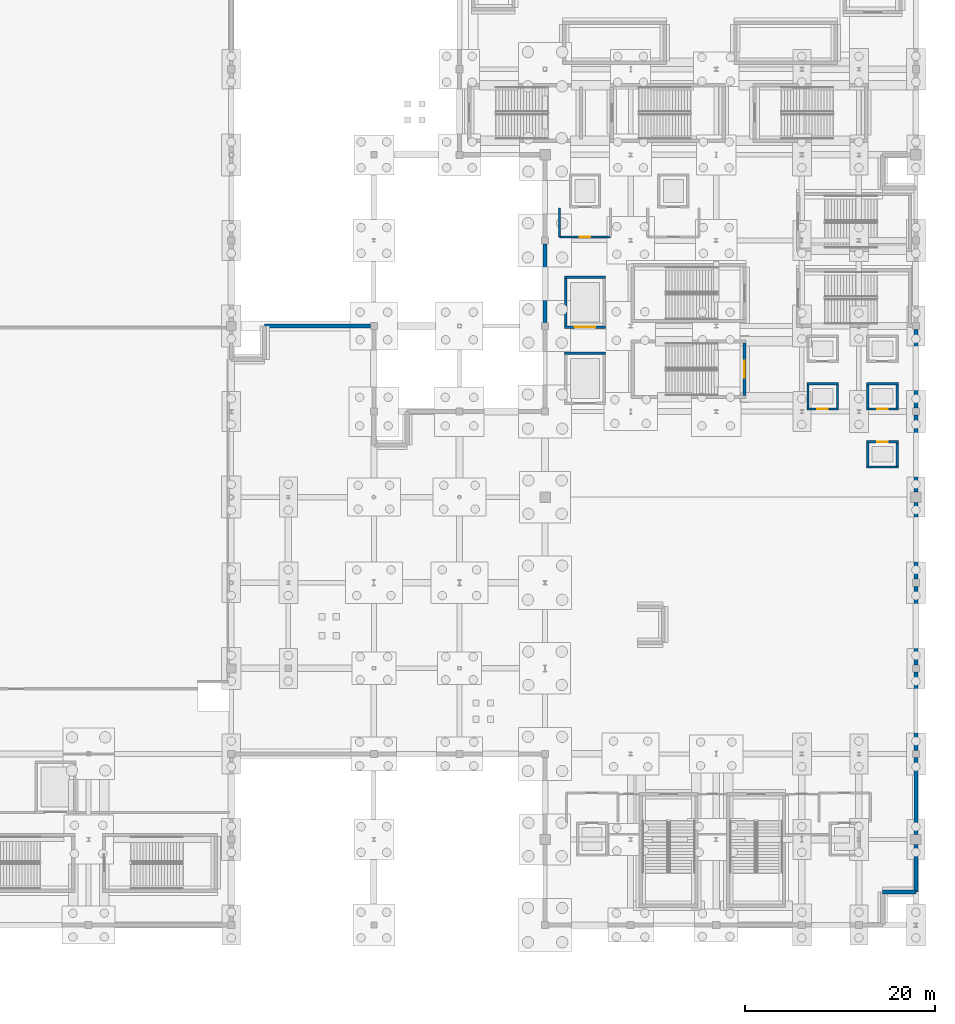
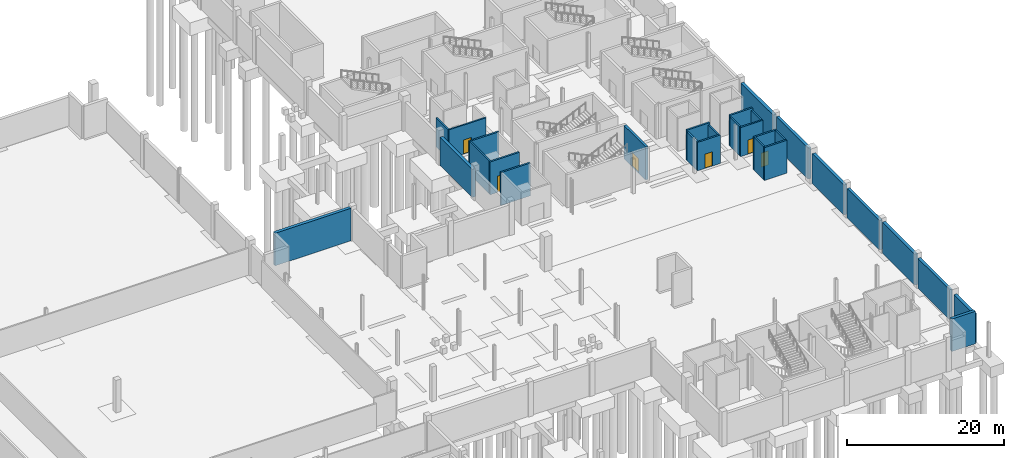
# One storey, part 43 of 58: 29 walls, 6 doors, 6 openings.
"""IFC4 building model written with IfcOpenShell, lengths in metres."""

from ifc_helpers import new_model, si_unit, direction, frame, frame_2d, origin, place, context, subcontext, project, spatial, rectangle, extrude, material, layer, layer_set, type_object, element, fill, save


model = new_model("IFC4")

# Units and contexts
model_context = context("Model", 3, precision=1e-05, world=origin(), true_north=direction((0.0, 1.0)))
body_context = subcontext(model_context, "Body", "Model", "MODEL_VIEW")
ifc_project = project(units=[si_unit("LENGTHUNIT", "METRE"), si_unit("AREAUNIT", "SQUARE_METRE"), si_unit("VOLUMEUNIT", "CUBIC_METRE"), si_unit("PLANEANGLEUNIT", "RADIAN"), si_unit("MASSUNIT", "GRAM", prefix="KILO")], contexts=[model_context])

# Site, building, storey
site_placement = place(None, origin())
site = spatial("IfcSite", under=ifc_project, at=site_placement, CompositionType="ELEMENT")
building_placement = place(site_placement, origin())
building = spatial("IfcBuilding", under=site, at=building_placement, Name="Qamarlyn Nura Convention Centre", CompositionType="ELEMENT")
storey_placement = place(building_placement, frame((0.0, 0.0, -5.39990234375)))
storey = spatial("IfcBuildingStorey", under=building, at=storey_placement, Name="B01", CompositionType="ELEMENT", Elevation=-5.39990234375)

# Wall, opening, door
ifc_material_1 = material(Name="Fire-rated acoustic gypsum board and mineral wool EI 120")
ifc_layer_1 = layer(ifc_material_1, 0.219970703125, Name="WT-COMP-220")
ifc_layer_set_1 = layer_set([ifc_layer_1], Name="Fire-rated acoustic gypsum board and mineral wool EI 120")
wall_type_1 = type_object("IfcWallType", Name="WT-COMP-220", PredefinedType="SOLIDWALL", material=ifc_layer_set_1)
wall_1_placement = place(storey_placement, frame((154.5, 72.35009765625, 0.0), z_axis=(0.0, 0.0, 1.0), x_axis=(1.0, 0.0, 0.0)))
wall_1 = element("IfcWall", 1, at=wall_1_placement, inside=storey, type_object=wall_type_1, Name="B01 firefighting lobby barrier wall FFL-03-OPP", PredefinedType="SOLIDWALL", context=body_context, shape_type="SweptSolid", body=[
    extrude(rectangle(XDim=5.39990234375, YDim=0.219970703125, at=frame_2d((2.699951171875, 0.0))), origin(), (0.0, 0.0, 1.0), 4.513916015625),
])
opening_1_placement = place(wall_1_placement, frame((2.139892578125, 0.0, 0.0)))
opening_1 = element("IfcOpeningElement", 2, at=opening_1_placement, cuts=wall_1, Name="Opening DF-117", PredefinedType="OPENING", context=body_context, shape_type="SweptSolid", body=[
    extrude(rectangle(XDim=1.1201171875, YDim=2.199951171875, at=frame_2d((0.56005859375, 1.10009765625))), frame((0.0, 0.1201171875, 0.0), z_axis=(0.0, -1.0, 0.0), x_axis=(1.0, 0.0, 0.0)), (0.0, 0.0, 1.0), 0.239990234375),
])
ifc_material_2 = material(Name="Galvanised fire-rated hollow steel door", Category="steel")
door_type_1 = type_object("IfcDoorType", Name="DR-FFL-1120", OperationType="NOTDEFINED", PredefinedType="DOOR", material=ifc_material_2)
door_1_placement = place(opening_1_placement, origin())
door_1 = element("IfcDoor", 3, at=door_1_placement, inside=storey, type_object=door_type_1, Name="B01 firefighting lobby door FFL-03 (DF-117)", OperationType="SINGLE_SWING_LEFT", OverallHeight=2.199951171875, OverallWidth=1.1201171875, PredefinedType="DOOR", context=body_context, shape_type="SweptSolid", body=[
    extrude(rectangle(XDim=1.1201171875, YDim=2.199951171875, at=frame_2d((0.56005859375, 1.10009765625))), frame((0.0, 0.02490234375, 0.0), z_axis=(0.0, -1.0, 0.0), x_axis=(1.0, 0.0, 0.0)), (0.0, 0.0, 1.0), 0.050048828125),
])
fill(opening_1, door_1)

# Wall
wall_2_placement = place(storey_placement, frame((154.5, 72.35009765625, 0.0), z_axis=(0.0, 0.0, 1.0), x_axis=(0.0, 1.0, 0.0)))
element("IfcWall", 4, at=wall_2_placement, inside=storey, type_object=wall_type_1, Name="B01 firefighting lobby barrier wall FFL-03-W", PredefinedType="SOLIDWALL", context=body_context, shape_type="SweptSolid", body=[
    extrude(rectangle(XDim=3.0498046875, YDim=0.219970703125, at=frame_2d((1.52490234375, 0.0))), origin(), (0.0, 0.0, 1.0), 4.513916015625),
])

# Wall, opening, door
ifc_material_3 = material(Name="Concrete C50/60", Category="concrete")
ifc_layer_2 = layer(ifc_material_3, 0.35009765625, Name="WT-CORE-350")
ifc_layer_set_2 = layer_set([ifc_layer_2], Name="Concrete C50/60")
wall_type_2 = type_object("IfcWallType", Name="WT-CORE-350", PredefinedType="SHEAR", material=ifc_layer_set_2)
wall_3_placement = place(storey_placement, frame((173.97509765625, 55.699951171875, 0.0), z_axis=(0.0, 0.0, 1.0), x_axis=(0.0, 1.0, 0.0)))
wall_3 = element("IfcWall", 5, at=wall_3_placement, inside=storey, type_object=wall_type_2, Name="B01 stair core shear wall ST-11-E", PredefinedType="SHEAR", context=body_context, shape_type="SweptSolid", body=[
    extrude(rectangle(XDim=5.5, YDim=0.35009765625, at=frame_2d((2.75, 0.0))), origin(), (0.0, 0.0, 1.0), 5.139892578125),
])
opening_2_placement = place(wall_3_placement, frame((1.85009765625, 0.0, 0.0)))
opening_2 = element("IfcOpeningElement", 6, at=opening_2_placement, cuts=wall_3, Name="Opening DS-043", PredefinedType="OPENING", context=body_context, shape_type="SweptSolid", body=[
    extrude(rectangle(XDim=1.800048828125, YDim=2.199951171875, at=frame_2d((0.89990234375, 1.10009765625))), frame((0.0, 0.18505859375, 0.0), z_axis=(0.0, -1.0, 0.0), x_axis=(1.0, 0.0, 0.0)), (0.0, 0.0, 1.0), 0.3701171875),
])
door_type_2 = type_object("IfcDoorType", Name="DR-STAIR-1800", OperationType="DOUBLE_DOOR_SINGLE_SWING", PredefinedType="DOOR", material=ifc_material_2)
door_2_placement = place(opening_2_placement, origin())
door_2 = element("IfcDoor", 7, at=door_2_placement, inside=storey, type_object=door_type_2, Name="B01 exit stair door ST-11 (DS-043)", OperationType="DOUBLE_DOOR_SINGLE_SWING", OverallHeight=2.199951171875, OverallWidth=1.800048828125, PredefinedType="DOOR", context=body_context, shape_type="SweptSolid", body=[
    extrude(rectangle(XDim=1.800048828125, YDim=2.199951171875, at=frame_2d((0.89990234375, 1.10009765625))), frame((0.0, 0.02490234375, 0.0), z_axis=(0.0, -1.0, 0.0), x_axis=(1.0, 0.0, 0.0)), (0.0, 0.0, 1.0), 0.050048828125),
])
fill(opening_2, door_2)

# Walls
ifc_material_4 = material(Name="Concrete C40/50", Category="concrete")
ifc_layer_3 = layer(ifc_material_4, 0.419921875, Name="WT-RET-420")
ifc_layer_set_3 = layer_set([ifc_layer_3], Name="Concrete C40/50")
wall_type_3 = type_object("IfcWallType", Name="WT-RET-420", PredefinedType="USERDEFINED", material=ifc_layer_set_3)
wall_4_placement = place(storey_placement, frame((192.0, 53.625, 0.0), z_axis=(0.0, 0.0, 1.0), x_axis=(0.0, -1.0, 0.0)))
element("IfcWall", 8, at=wall_4_placement, inside=storey, type_object=wall_type_3, Name="B01 perimeter retaining wall 72", ObjectType="RETAININGWALL", PredefinedType="USERDEFINED", context=body_context, shape_type="SweptSolid", body=[
    extrude(rectangle(XDim=8.074951171875, YDim=0.419921875, at=frame_2d((4.03759765625, 0.0))), origin(), (0.0, 0.0, 1.0), 4.804931640625),
])
wall_5_placement = place(storey_placement, frame((192.0, 35.625, 0.0), z_axis=(0.0, 0.0, 1.0), x_axis=(0.0, -1.0, 0.0)))
element("IfcWall", 9, at=wall_5_placement, inside=storey, type_object=wall_type_3, Name="B01 perimeter retaining wall 74", ObjectType="RETAININGWALL", PredefinedType="USERDEFINED", context=body_context, shape_type="SweptSolid", body=[
    extrude(rectangle(XDim=8.25, YDim=0.419921875, at=frame_2d((4.125, 0.0))), origin(), (0.0, 0.0, 1.0), 4.56591796875),
])
wall_6_placement = place(storey_placement, frame((192.0, 17.625, 0.0), z_axis=(0.0, 0.0, 1.0), x_axis=(0.0, -1.0, 0.0)))
element("IfcWall", 10, at=wall_6_placement, inside=storey, type_object=wall_type_3, Name="B01 perimeter retaining wall 76", ObjectType="RETAININGWALL", PredefinedType="USERDEFINED", context=body_context, shape_type="SweptSolid", body=[
    extrude(rectangle(XDim=8.074951171875, YDim=0.419921875, at=frame_2d((4.03759765625, 0.0))), origin(), (0.0, 0.0, 1.0), 4.638916015625),
])
wall_7_placement = place(storey_placement, frame((192.0, 3.5, 0.0), z_axis=(0.0, 0.0, 1.0), x_axis=(-1.0, 0.0, 0.0)))
element("IfcWall", 11, at=wall_7_placement, inside=storey, type_object=wall_type_3, Name="B01 perimeter retaining wall 78", ObjectType="RETAININGWALL", PredefinedType="USERDEFINED", context=body_context, shape_type="SweptSolid", body=[
    extrude(rectangle(XDim=3.5, YDim=0.419921875, at=frame_2d((1.75, 0.0))), origin(), (0.0, 0.0, 1.0), 5.0498046875),
])
ifc_layer_4 = layer(ifc_material_4, 0.449951171875, Name="WT-RET-450")
ifc_layer_set_4 = layer_set([ifc_layer_4], Name="Concrete C40/50")
wall_type_4 = type_object("IfcWallType", Name="WT-RET-450", PredefinedType="USERDEFINED", material=ifc_layer_set_4)
wall_8_placement = place(storey_placement, frame((123.5, 63.0, 0.0), z_axis=(0.0, 0.0, 1.0), x_axis=(1.0, 0.0, 0.0)))
element("IfcWall", 12, at=wall_8_placement, inside=storey, type_object=wall_type_4, Name="B01 perimeter retaining wall 37", ObjectType="RETAININGWALL", PredefinedType="USERDEFINED", context=body_context, shape_type="SweptSolid", body=[
    extrude(rectangle(XDim=11.125, YDim=0.449951171875, at=frame_2d((5.5625, 0.0))), origin(), (0.0, 0.0, 1.0), 5.0498046875),
])
wall_9_placement = place(storey_placement, frame((153.0, 63.375, 0.0), z_axis=(0.0, 0.0, 1.0), x_axis=(0.0, 1.0, 0.0)))
element("IfcWall", 13, at=wall_9_placement, inside=storey, type_object=wall_type_4, Name="B01 perimeter retaining wall 45", ObjectType="RETAININGWALL", PredefinedType="USERDEFINED", context=body_context, shape_type="SweptSolid", body=[
    extrude(rectangle(XDim=8.25, YDim=0.449951171875, at=frame_2d((4.125, 0.0))), origin(), (0.0, 0.0, 1.0), 4.351806640625),
])
wall_10_placement = place(storey_placement, frame((192.0, 62.625, 0.0), z_axis=(0.0, 0.0, 1.0), x_axis=(0.0, -1.0, 0.0)))
element("IfcWall", 14, at=wall_10_placement, inside=storey, type_object=wall_type_4, Name="B01 perimeter retaining wall 71", ObjectType="RETAININGWALL", PredefinedType="USERDEFINED", context=body_context, shape_type="SweptSolid", body=[
    extrude(rectangle(XDim=8.25, YDim=0.449951171875, at=frame_2d((4.125, 0.0))), origin(), (0.0, 0.0, 1.0), 4.5859375),
])
wall_11_placement = place(storey_placement, frame((192.0, 44.449951171875, 0.0), z_axis=(0.0, 0.0, 1.0), x_axis=(0.0, -1.0, 0.0)))
element("IfcWall", 15, at=wall_11_placement, inside=storey, type_object=wall_type_4, Name="B01 perimeter retaining wall 73", ObjectType="RETAININGWALL", PredefinedType="USERDEFINED", context=body_context, shape_type="SweptSolid", body=[
    extrude(rectangle(XDim=8.074951171875, YDim=0.449951171875, at=frame_2d((4.03759765625, 0.0))), origin(), (0.0, 0.0, 1.0), 4.638916015625),
])
wall_12_placement = place(storey_placement, frame((192.0, 26.625, 0.0), z_axis=(0.0, 0.0, 1.0), x_axis=(0.0, -1.0, 0.0)))
element("IfcWall", 16, at=wall_12_placement, inside=storey, type_object=wall_type_4, Name="B01 perimeter retaining wall 75", ObjectType="RETAININGWALL", PredefinedType="USERDEFINED", context=body_context, shape_type="SweptSolid", body=[
    extrude(rectangle(XDim=8.25, YDim=0.449951171875, at=frame_2d((4.125, 0.0))), origin(), (0.0, 0.0, 1.0), 4.804931640625),
])
wall_13_placement = place(storey_placement, frame((192.0, 8.449951171875, 0.0), z_axis=(0.0, 0.0, 1.0), x_axis=(0.0, -1.0, 0.0)))
element("IfcWall", 17, at=wall_13_placement, inside=storey, type_object=wall_type_4, Name="B01 perimeter retaining wall 77", ObjectType="RETAININGWALL", PredefinedType="USERDEFINED", context=body_context, shape_type="SweptSolid", body=[
    extrude(rectangle(XDim=4.949951171875, YDim=0.449951171875, at=frame_2d((2.47509765625, 0.0))), origin(), (0.0, 0.0, 1.0), 4.56591796875),
])

# Wall, opening, door
ifc_layer_5 = layer(ifc_material_1, 0.25, Name="WT-SHAFT-250")
ifc_layer_set_5 = layer_set([ifc_layer_5], Name="Fire-rated acoustic gypsum board and mineral wool EI 120")
wall_type_5 = type_object("IfcWallType", Name="WT-SHAFT-250", PredefinedType="SOLIDWALL", material=ifc_layer_set_5)
wall_14_placement = place(storey_placement, frame((180.52490234375, 54.27490234375, 0.0), z_axis=(0.0, 0.0, 1.0), x_axis=(1.0, 0.0, 0.0)))
wall_14 = element("IfcWall", 18, at=wall_14_placement, inside=storey, type_object=wall_type_5, Name="B01 lift shaft enclosure wall PL-03 -y", PredefinedType="SOLIDWALL", context=body_context, shape_type="SweptSolid", body=[
    extrude(rectangle(XDim=3.35009765625, YDim=0.25, at=frame_2d((1.675048828125, 0.0))), origin(), (0.0, 0.0, 1.0), 4.4208984375),
])
opening_3_placement = place(wall_14_placement, frame((1.125, 0.0, 0.0)))
opening_3 = element("IfcOpeningElement", 19, at=opening_3_placement, cuts=wall_14, Name="Opening LD-PL-03-B01", PredefinedType="OPENING", context=body_context, shape_type="SweptSolid", body=[
    extrude(rectangle(XDim=1.10009765625, YDim=2.199951171875, at=frame_2d((0.550048828125, 1.10009765625))), frame((0.0, 0.135009765625, 0.0), z_axis=(0.0, -1.0, 0.0), x_axis=(1.0, 0.0, 0.0)), (0.0, 0.0, 1.0), 0.27001953125),
])
ifc_material_5 = material(Name="Marine Grade 316 stainless steel", Category="steel")
door_type_3 = type_object("IfcDoorType", Name="DR-LD-PAX", OperationType="DOUBLE_DOOR_SLIDING", PredefinedType="DOOR", material=ifc_material_5)
door_3_placement = place(opening_3_placement, origin())
door_3 = element("IfcDoor", 20, at=door_3_placement, inside=storey, type_object=door_type_3, Name="Lift landing door LD-PL-03-B01", OperationType="DOUBLE_DOOR_SLIDING", OverallHeight=2.199951171875, OverallWidth=1.10009765625, PredefinedType="DOOR", context=body_context, shape_type="SweptSolid", body=[
    extrude(rectangle(XDim=1.10009765625, YDim=2.199951171875, at=frame_2d((0.550048828125, 1.10009765625))), frame((0.0, 0.02490234375, 0.0), z_axis=(0.0, -1.0, 0.0), x_axis=(1.0, 0.0, 0.0)), (0.0, 0.0, 1.0), 0.050048828125),
])
fill(opening_3, door_3)

# Walls
wall_15_placement = place(storey_placement, frame((183.875, 56.925048828125, 0.0), z_axis=(0.0, 0.0, 1.0), x_axis=(-1.0, 0.0, 0.0)))
element("IfcWall", 21, at=wall_15_placement, inside=storey, type_object=wall_type_5, Name="B01 lift shaft enclosure wall PL-03 +y", PredefinedType="SOLIDWALL", context=body_context, shape_type="SweptSolid", body=[
    extrude(rectangle(XDim=3.35009765625, YDim=0.25, at=frame_2d((1.675048828125, 0.0))), origin(), (0.0, 0.0, 1.0), 4.718017578125),
])
for number, where, z_axis, x_axis, name in (
    (22, (180.64990234375, 56.800048828125, 0.0), (0.0, 0.0, 1.0), (0.0, -1.0, 0.0), "B01 lift shaft enclosure wall PL-03 -x"),
    (23, (183.75, 54.39990234375, 0.0), (0.0, 0.0, 1.0), (0.0, 1.0, 0.0), "B01 lift shaft enclosure wall PL-03 +x"),
):
    element("IfcWall", number, at=place(storey_placement, frame(where, z_axis=z_axis, x_axis=x_axis)), inside=storey, type_object=wall_type_5, Name=name, PredefinedType="SOLIDWALL", context=body_context, shape_type="SweptSolid", body=[
        extrude(rectangle(XDim=2.400146484375, YDim=0.25, at=frame_2d((1.2001953125, 0.0))), origin(), (0.0, 0.0, 1.0), 4.4208984375),
    ])

# Wall, opening, door
wall_16_placement = place(storey_placement, frame((186.824951171875, 54.27490234375, 0.0), z_axis=(0.0, 0.0, 1.0), x_axis=(1.0, 0.0, 0.0)))
wall_16 = element("IfcWall", 24, at=wall_16_placement, inside=storey, type_object=wall_type_5, Name="B01 lift shaft enclosure wall PL-04 -y", PredefinedType="SOLIDWALL", context=body_context, shape_type="SweptSolid", body=[
    extrude(rectangle(XDim=3.35009765625, YDim=0.25, at=frame_2d((1.675048828125, 0.0))), origin(), (0.0, 0.0, 1.0), 4.493896484375),
])
opening_4_placement = place(wall_16_placement, frame((1.125, 0.0, 0.0)))
opening_4 = element("IfcOpeningElement", 25, at=opening_4_placement, cuts=wall_16, Name="Opening LD-PL-04-B01", PredefinedType="OPENING", context=body_context, shape_type="SweptSolid", body=[
    extrude(rectangle(XDim=1.10009765625, YDim=2.199951171875, at=frame_2d((0.550048828125, 1.10009765625))), frame((0.0, 0.135009765625, 0.0), z_axis=(0.0, -1.0, 0.0), x_axis=(1.0, 0.0, 0.0)), (0.0, 0.0, 1.0), 0.27001953125),
])
door_4_placement = place(opening_4_placement, origin())
door_4 = element("IfcDoor", 26, at=door_4_placement, inside=storey, type_object=door_type_3, Name="Lift landing door LD-PL-04-B01", OperationType="DOUBLE_DOOR_SLIDING", OverallHeight=2.199951171875, OverallWidth=1.10009765625, PredefinedType="DOOR", context=body_context, shape_type="SweptSolid", body=[
    extrude(rectangle(XDim=1.10009765625, YDim=2.199951171875, at=frame_2d((0.550048828125, 1.10009765625))), frame((0.0, 0.02490234375, 0.0), z_axis=(0.0, -1.0, 0.0), x_axis=(1.0, 0.0, 0.0)), (0.0, 0.0, 1.0), 0.050048828125),
])
fill(opening_4, door_4)

# Walls
wall_17_placement = place(storey_placement, frame((190.175048828125, 56.925048828125, 0.0), z_axis=(0.0, 0.0, 1.0), x_axis=(-1.0, 0.0, 0.0)))
element("IfcWall", 27, at=wall_17_placement, inside=storey, type_object=wall_type_5, Name="B01 lift shaft enclosure wall PL-04 +y", PredefinedType="SOLIDWALL", context=body_context, shape_type="SweptSolid", body=[
    extrude(rectangle(XDim=3.35009765625, YDim=0.25, at=frame_2d((1.675048828125, 0.0))), origin(), (0.0, 0.0, 1.0), 4.81689453125),
])
for number, where, z_axis, x_axis, name in (
    (28, (186.949951171875, 56.800048828125, 0.0), (0.0, 0.0, 1.0), (0.0, -1.0, 0.0), "B01 lift shaft enclosure wall PL-04 -x"),
    (29, (190.050048828125, 54.39990234375, 0.0), (0.0, 0.0, 1.0), (0.0, 1.0, 0.0), "B01 lift shaft enclosure wall PL-04 +x"),
):
    element("IfcWall", number, at=place(storey_placement, frame(where, z_axis=z_axis, x_axis=x_axis)), inside=storey, type_object=wall_type_5, Name=name, PredefinedType="SOLIDWALL", context=body_context, shape_type="SweptSolid", body=[
        extrude(rectangle(XDim=2.400146484375, YDim=0.25, at=frame_2d((1.2001953125, 0.0))), origin(), (0.0, 0.0, 1.0), 4.493896484375),
    ])
wall_18_placement = place(storey_placement, frame((186.824951171875, 48.175048828125, 0.0), z_axis=(0.0, 0.0, 1.0), x_axis=(1.0, 0.0, 0.0)))
element("IfcWall", 30, at=wall_18_placement, inside=storey, type_object=wall_type_5, Name="B01 lift shaft enclosure wall PL-05 -y", PredefinedType="SOLIDWALL", context=body_context, shape_type="SweptSolid", body=[
    extrude(rectangle(XDim=3.35009765625, YDim=0.25, at=frame_2d((1.675048828125, 0.0))), origin(), (0.0, 0.0, 1.0), 5.099853515625),
])

# Wall, opening, door
wall_19_placement = place(storey_placement, frame((190.175048828125, 50.824951171875, 0.0), z_axis=(0.0, 0.0, 1.0), x_axis=(-1.0, 0.0, 0.0)))
wall_19 = element("IfcWall", 31, at=wall_19_placement, inside=storey, type_object=wall_type_5, Name="B01 lift shaft enclosure wall PL-05 +y", PredefinedType="SOLIDWALL", context=body_context, shape_type="SweptSolid", body=[
    extrude(rectangle(XDim=3.35009765625, YDim=0.25, at=frame_2d((1.675048828125, 0.0))), origin(), (0.0, 0.0, 1.0), 5.099853515625),
])
opening_5_placement = place(wall_19_placement, frame((1.125, 0.0, 0.0)))
opening_5 = element("IfcOpeningElement", 32, at=opening_5_placement, cuts=wall_19, Name="Opening LD-PL-05-B01", PredefinedType="OPENING", context=body_context, shape_type="SweptSolid", body=[
    extrude(rectangle(XDim=1.10009765625, YDim=2.199951171875, at=frame_2d((0.550048828125, 1.10009765625))), frame((0.0, 0.135009765625, 0.0), z_axis=(0.0, -1.0, 0.0), x_axis=(1.0, 0.0, 0.0)), (0.0, 0.0, 1.0), 0.27001953125),
])
door_5_placement = place(opening_5_placement, origin())
door_5 = element("IfcDoor", 33, at=door_5_placement, inside=storey, type_object=door_type_3, Name="Lift landing door LD-PL-05-B01", OperationType="DOUBLE_DOOR_SLIDING", OverallHeight=2.199951171875, OverallWidth=1.10009765625, PredefinedType="DOOR", context=body_context, shape_type="SweptSolid", body=[
    extrude(rectangle(XDim=1.10009765625, YDim=2.199951171875, at=frame_2d((0.550048828125, 1.10009765625))), frame((0.0, 0.02490234375, 0.0), z_axis=(0.0, -1.0, 0.0), x_axis=(1.0, 0.0, 0.0)), (0.0, 0.0, 1.0), 0.050048828125),
])
fill(opening_5, door_5)

# Walls
for number, where, z_axis, x_axis, name in (
    (34, (186.949951171875, 50.699951171875, 0.0), (0.0, 0.0, 1.0), (0.0, -1.0, 0.0), "B01 lift shaft enclosure wall PL-05 -x"),
    (35, (190.050048828125, 48.300048828125, 0.0), (0.0, 0.0, 1.0), (0.0, 1.0, 0.0), "B01 lift shaft enclosure wall PL-05 +x"),
):
    element("IfcWall", number, at=place(storey_placement, frame(where, z_axis=z_axis, x_axis=x_axis)), inside=storey, type_object=wall_type_5, Name=name, PredefinedType="SOLIDWALL", context=body_context, shape_type="SweptSolid", body=[
        extrude(rectangle(XDim=2.39990234375, YDim=0.25, at=frame_2d((1.199951171875, 0.0))), origin(), (0.0, 0.0, 1.0), 5.099853515625),
    ])
wall_20_placement = place(storey_placement, frame((159.35009765625, 60.125, 0.0), z_axis=(0.0, 0.0, 1.0), x_axis=(-1.0, 0.0, 0.0)))
element("IfcWall", 36, at=wall_20_placement, inside=storey, type_object=wall_type_5, Name="B01 lift shaft enclosure wall FL-03 +y", PredefinedType="SOLIDWALL", context=body_context, shape_type="SweptSolid", body=[
    extrude(rectangle(XDim=4.300048828125, YDim=0.25, at=frame_2d((2.14990234375, 0.0))), origin(), (0.0, 0.0, 1.0), 5.099853515625),
])

# Wall, opening, door
wall_21_placement = place(storey_placement, frame((155.050048828125, 62.875, 0.0), z_axis=(0.0, 0.0, 1.0), x_axis=(1.0, 0.0, 0.0)))
wall_21 = element("IfcWall", 37, at=wall_21_placement, inside=storey, type_object=wall_type_5, Name="B01 lift shaft enclosure wall FL-04 -y", PredefinedType="SOLIDWALL", context=body_context, shape_type="SweptSolid", body=[
    extrude(rectangle(XDim=4.300048828125, YDim=0.25, at=frame_2d((2.14990234375, 0.0))), origin(), (0.0, 0.0, 1.0), 5.099853515625),
])
opening_6_placement = place(wall_21_placement, frame((1.050048828125, 0.0, 0.0)))
opening_6 = element("IfcOpeningElement", 38, at=opening_6_placement, cuts=wall_21, Name="Opening LD-FL-04-B01", PredefinedType="OPENING", context=body_context, shape_type="SweptSolid", body=[
    extrude(rectangle(XDim=2.199951171875, YDim=2.5, at=frame_2d((1.10009765625, 1.25))), frame((0.0, 0.135009765625, 0.0), z_axis=(0.0, -1.0, 0.0), x_axis=(1.0, 0.0, 0.0)), (0.0, 0.0, 1.0), 0.27001953125),
])
door_type_4 = type_object("IfcDoorType", Name="DR-LD-FRT", OperationType="DOUBLE_DOOR_SLIDING", PredefinedType="DOOR", material=ifc_material_2)
door_6_placement = place(opening_6_placement, origin())
door_6 = element("IfcDoor", 39, at=door_6_placement, inside=storey, type_object=door_type_4, Name="Lift landing door LD-FL-04-B01", OperationType="DOUBLE_DOOR_SLIDING", OverallHeight=2.5, OverallWidth=2.199951171875, PredefinedType="DOOR", context=body_context, shape_type="SweptSolid", body=[
    extrude(rectangle(XDim=2.199951171875, YDim=2.5, at=frame_2d((1.10009765625, 1.25))), frame((0.0, 0.02490234375, 0.0), z_axis=(0.0, -1.0, 0.0), x_axis=(1.0, 0.0, 0.0)), (0.0, 0.0, 1.0), 0.050048828125),
])
fill(opening_6, door_6)

# Walls
wall_22_placement = place(storey_placement, frame((159.35009765625, 68.125, 0.0), z_axis=(0.0, 0.0, 1.0), x_axis=(-1.0, 0.0, 0.0)))
element("IfcWall", 40, at=wall_22_placement, inside=storey, type_object=wall_type_5, Name="B01 lift shaft enclosure wall FL-04 +y", PredefinedType="SOLIDWALL", context=body_context, shape_type="SweptSolid", body=[
    extrude(rectangle(XDim=4.300048828125, YDim=0.25, at=frame_2d((2.14990234375, 0.0))), origin(), (0.0, 0.0, 1.0), 5.099853515625),
])
wall_23_placement = place(storey_placement, frame((155.175048828125, 68.0, 0.0), z_axis=(0.0, 0.0, 1.0), x_axis=(0.0, -1.0, 0.0)))
element("IfcWall", 41, at=wall_23_placement, inside=storey, type_object=wall_type_5, Name="B01 lift shaft enclosure wall FL-04 -x", PredefinedType="SOLIDWALL", context=body_context, shape_type="SweptSolid", body=[
    extrude(rectangle(XDim=5.0, YDim=0.25, at=frame_2d((2.5, 0.0))), origin(), (0.0, 0.0, 1.0), 5.099853515625),
])

save(model, "model.ifc")
